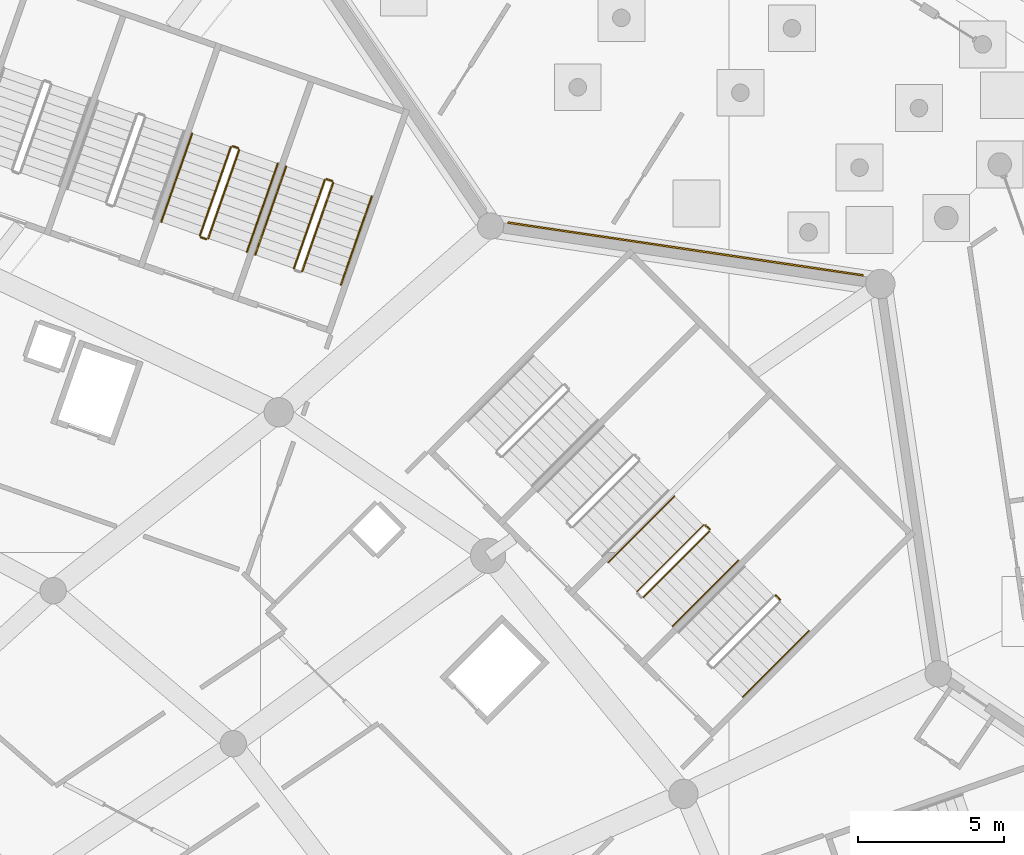
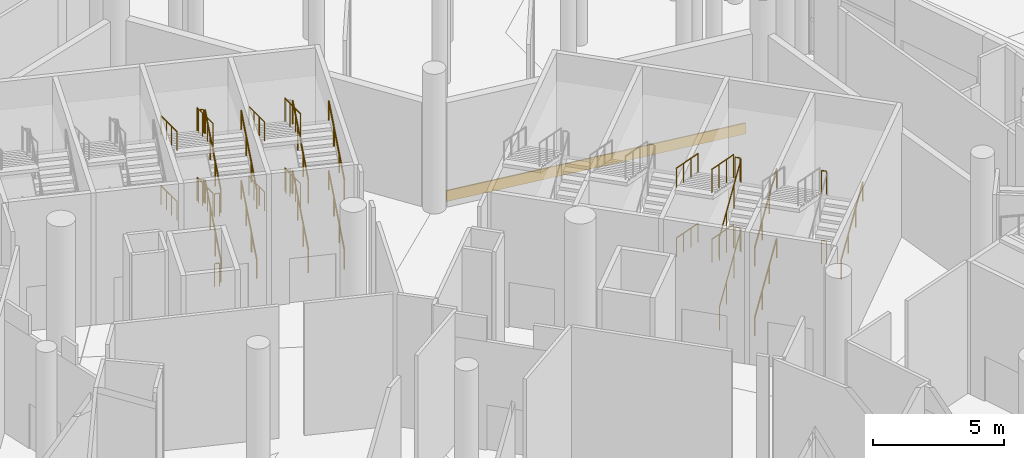
# One storey, part 253 of 255: 34 railings, 1 covering.
"""IFC4 building model written with IfcOpenShell, lengths in metres."""

from ifc_helpers import new_model, si_unit, direction, frame, origin, origin_2d, place, context, subcontext, project, spatial, rectangle, circle, extrude, material, layer, layer_set, type_object, element, save


model = new_model("IFC4")

# Units and contexts
model_context = context("Model", 3, precision=1e-05, world=origin(), true_north=direction((0.0, 1.0)))
body_context = subcontext(model_context, "Body", "Model", "MODEL_VIEW")
ifc_project = project(units=[si_unit("LENGTHUNIT", "METRE"), si_unit("AREAUNIT", "SQUARE_METRE"), si_unit("VOLUMEUNIT", "CUBIC_METRE"), si_unit("PLANEANGLEUNIT", "RADIAN"), si_unit("MASSUNIT", "GRAM", prefix="KILO")], contexts=[model_context])

# Site, building, storey
site_placement = place(None, origin())
site = spatial("IfcSite", under=ifc_project, at=site_placement, CompositionType="ELEMENT")
building_placement = place(site_placement, origin())
building = spatial("IfcBuilding", under=site, at=building_placement, Name="Meseta Stadium", CompositionType="ELEMENT")
storey_placement = place(building_placement, origin())
storey = spatial("IfcBuildingStorey", under=building, at=storey_placement, Name="L00", CompositionType="ELEMENT", Elevation=0.0)

# Covering
ifc_material_1 = material(Name="Guadarrama granite cladding", Category="masonry")
ifc_layer = layer(ifc_material_1, 0.06005859375)
ifc_layer_set = layer_set([ifc_layer], Name="Granite plinth cladding 60")
covering_type = type_object("IfcCoveringType", Name="Granite plinth cladding 60", PredefinedType="CLADDING", material=ifc_layer_set)
covering_placement = place(storey_placement, frame((78.5205078125, 90.36865234375, 0.0), z_axis=(0.0, 0.0, 1.0), x_axis=(0.989158319768, -0.146853050476, 0.0)))
element("IfcCovering", 1, at=covering_placement, inside=storey, type_object=covering_type, Name="Granite plinth L00 F12", PredefinedType="CLADDING", context=body_context, shape_type="SweptSolid", body=[
    extrude(rectangle(XDim=12.274169921875, YDim=0.06005859375, at=origin_2d()), origin(), (0.0, 0.0, 1.0), 0.5),
])

# Railings
ifc_material_2 = material(Name="Steel S355", Category="steel")
railing_type_1 = type_object("IfcRailingType", Name="Stair guard 1100", PredefinedType="GUARDRAIL", material=ifc_material_2)
for number, where, name in (
    (2, (81.744140625, 78.390380859375, 1.625), "ST25 L00 guard 2"),
    (3, (81.744140625, 78.390380859375, 4.875), "ST25 L00 guard 6"),
):
    element("IfcRailing", number, at=place(storey_placement, frame(where)), inside=storey, type_object=railing_type_1, Name=name, PredefinedType="GUARDRAIL", context=body_context, shape_type="SweptSolid", body=[
        extrude(circle(Radius=0.02392578125, at=origin_2d()), frame((0.0, 0.0, 1.076171875), z_axis=(-0.707106781187, 0.707106781187, 0.0), x_axis=(-0.707106781187, -0.707106781187, 0.0)), (0.0, 0.0, 1.0), 0.199951171875),
        extrude(circle(Radius=0.02099609375, at=origin_2d()), origin(), (0.0, 0.0, 1.0), 1.052001953125),
        extrude(circle(Radius=0.02099609375, at=origin_2d()), frame((-0.141357421875, 0.141357421875, 0.0)), (0.0, 0.0, 1.0), 1.052001953125),
    ])
railing_1_placement = place(storey_placement, frame((77.077392578125, 78.4609375, 0.147705078125)))
element("IfcRailing", 4, at=railing_1_placement, inside=storey, type_object=railing_type_1, Name="ST26 L00 guard 1", PredefinedType="GUARDRAIL", context=body_context, shape_type="SweptSolid", body=[
    extrude(circle(Radius=0.02392578125, at=origin_2d()), frame((0.0, 0.0, 1.076171875), z_axis=(0.641964988257, 0.642034255088, 0.419133593434), x_axis=(-0.707144925854, 0.707068634461, 0.0)), (0.0, 0.0, 1.0), 3.524658203125),
    extrude(circle(Radius=0.02099609375, at=origin_2d()), origin(), (0.0, 0.0, 1.0), 1.052001953125),
    extrude(circle(Radius=0.02099609375, at=origin_2d()), frame((0.754150390625, 0.75439453125, 0.492431640625)), (0.0, 0.0, 1.0), 1.052001953125),
    extrude(circle(Radius=0.02099609375, at=origin_2d()), frame((1.508544921875, 1.508544921875, 0.98486328125)), (0.0, 0.0, 1.0), 1.052001953125),
    extrude(circle(Radius=0.02099609375, at=origin_2d()), frame((2.2626953125, 2.262939453125, 1.477294921875)), (0.0, 0.0, 1.0), 1.052001953125),
])
railing_2_placement = place(storey_placement, frame((79.340087890625, 80.79443359375, 1.625)))
element("IfcRailing", 5, at=railing_2_placement, inside=storey, type_object=railing_type_1, Name="ST26 L00 guard 2", PredefinedType="GUARDRAIL", context=body_context, shape_type="SweptSolid", body=[
    extrude(circle(Radius=0.02392578125, at=origin_2d()), frame((0.0, 0.0, 1.076171875), z_axis=(-0.706496417452, 0.707716618519, 0.0), x_axis=(-0.707716618519, -0.706496417452, 0.0)), (0.0, 0.0, 1.0), 0.2001953125),
    extrude(circle(Radius=0.02099609375, at=origin_2d()), origin(), (0.0, 0.0, 1.0), 1.052001953125),
    extrude(circle(Radius=0.02099609375, at=origin_2d()), frame((-0.141357421875, 0.1416015625, 0.0)), (0.0, 0.0, 1.0), 1.052001953125),
])
railing_3_placement = place(storey_placement, frame((79.1279296875, 80.93603515625, 1.772705078125)))
element("IfcRailing", 6, at=railing_3_placement, inside=storey, type_object=railing_type_1, Name="ST26 L00 guard 3", PredefinedType="GUARDRAIL", context=body_context, shape_type="SweptSolid", body=[
    extrude(circle(Radius=0.02392578125, at=origin_2d()), frame((0.0, 0.0, 1.076171875), z_axis=(-0.641964988257, -0.642034255088, 0.419133593434), x_axis=(0.707144925854, -0.707068634461, 0.0)), (0.0, 0.0, 1.0), 3.524658203125),
    extrude(circle(Radius=0.02099609375, at=origin_2d()), origin(), (0.0, 0.0, 1.0), 1.052001953125),
    extrude(circle(Radius=0.02099609375, at=origin_2d()), frame((-0.754150390625, -0.75439453125, 0.492431640625)), (0.0, 0.0, 1.0), 1.052001953125),
    extrude(circle(Radius=0.02099609375, at=origin_2d()), frame((-1.508544921875, -1.508544921875, 0.98486328125)), (0.0, 0.0, 1.0), 1.052001953125),
    extrude(circle(Radius=0.02099609375, at=origin_2d()), frame((-2.2626953125, -2.262939453125, 1.477294921875)), (0.0, 0.0, 1.0), 1.052001953125),
])
railing_4_placement = place(storey_placement, frame((77.077392578125, 78.4609375, 3.397705078125)))
element("IfcRailing", 7, at=railing_4_placement, inside=storey, type_object=railing_type_1, Name="ST26 L00 guard 5", PredefinedType="GUARDRAIL", context=body_context, shape_type="SweptSolid", body=[
    extrude(circle(Radius=0.02392578125, at=origin_2d()), frame((0.0, 0.0, 1.076171875), z_axis=(0.641964988257, 0.642034255088, 0.419133593434), x_axis=(-0.707144925854, 0.707068634461, 0.0)), (0.0, 0.0, 1.0), 3.524658203125),
    extrude(circle(Radius=0.02099609375, at=origin_2d()), origin(), (0.0, 0.0, 1.0), 1.052001953125),
    extrude(circle(Radius=0.02099609375, at=origin_2d()), frame((0.754150390625, 0.75439453125, 0.492431640625)), (0.0, 0.0, 1.0), 1.052001953125),
    extrude(circle(Radius=0.02099609375, at=origin_2d()), frame((1.508544921875, 1.508544921875, 0.98486328125)), (0.0, 0.0, 1.0), 1.052001953125),
    extrude(circle(Radius=0.02099609375, at=origin_2d()), frame((2.2626953125, 2.262939453125, 1.477294921875)), (0.0, 0.0, 1.0), 1.052001953125),
])
railing_5_placement = place(storey_placement, frame((79.340087890625, 80.79443359375, 4.875)))
element("IfcRailing", 8, at=railing_5_placement, inside=storey, type_object=railing_type_1, Name="ST26 L00 guard 6", PredefinedType="GUARDRAIL", context=body_context, shape_type="SweptSolid", body=[
    extrude(circle(Radius=0.02392578125, at=origin_2d()), frame((0.0, 0.0, 1.076171875), z_axis=(-0.706496417452, 0.707716618519, 0.0), x_axis=(-0.707716618519, -0.706496417452, 0.0)), (0.0, 0.0, 1.0), 0.2001953125),
    extrude(circle(Radius=0.02099609375, at=origin_2d()), origin(), (0.0, 0.0, 1.0), 1.052001953125),
    extrude(circle(Radius=0.02099609375, at=origin_2d()), frame((-0.141357421875, 0.1416015625, 0.0)), (0.0, 0.0, 1.0), 1.052001953125),
])
railing_6_placement = place(storey_placement, frame((79.1279296875, 80.93603515625, 5.022705078125)))
element("IfcRailing", 9, at=railing_6_placement, inside=storey, type_object=railing_type_1, Name="ST26 L00 guard 7", PredefinedType="GUARDRAIL", context=body_context, shape_type="SweptSolid", body=[
    extrude(circle(Radius=0.02392578125, at=origin_2d()), frame((0.0, 0.0, 1.076171875), z_axis=(-0.641964988257, -0.642034255088, 0.419133593434), x_axis=(0.707144925854, -0.707068634461, 0.0)), (0.0, 0.0, 1.0), 3.524658203125),
    extrude(circle(Radius=0.02099609375, at=origin_2d()), origin(), (0.0, 0.0, 1.0), 1.052001953125),
    extrude(circle(Radius=0.02099609375, at=origin_2d()), frame((-0.754150390625, -0.75439453125, 0.492431640625)), (0.0, 0.0, 1.0), 1.052001953125),
    extrude(circle(Radius=0.02099609375, at=origin_2d()), frame((-1.508544921875, -1.508544921875, 0.98486328125)), (0.0, 0.0, 1.0), 1.052001953125),
    extrude(circle(Radius=0.02099609375, at=origin_2d()), frame((-2.2626953125, -2.262939453125, 1.477294921875)), (0.0, 0.0, 1.0), 1.052001953125),
])
railing_7_placement = place(storey_placement, frame((65.421630859375, 89.608154296875, 0.147705078125)))
element("IfcRailing", 10, at=railing_7_placement, inside=storey, type_object=railing_type_1, Name="ST29 L00 guard 1", PredefinedType="GUARDRAIL", context=body_context, shape_type="SweptSolid", body=[
    extrude(circle(Radius=0.02392578125, at=origin_2d()), frame((0.0, 0.0, 1.076171875), z_axis=(0.299858671601, 0.856976550022, 0.419137172986), x_axis=(-0.943886898693, 0.330268863922, 0.0)), (0.0, 0.0, 1.0), 3.524658203125),
    extrude(circle(Radius=0.02099609375, at=origin_2d()), origin(), (0.0, 0.0, 1.0), 1.052001953125),
    extrude(circle(Radius=0.02099609375, at=origin_2d()), frame((0.352294921875, 1.0068359375, 0.492431640625)), (0.0, 0.0, 1.0), 1.052001953125),
    extrude(circle(Radius=0.02099609375, at=origin_2d()), frame((0.70458984375, 2.013671875, 0.98486328125)), (0.0, 0.0, 1.0), 1.052001953125),
    extrude(circle(Radius=0.02099609375, at=origin_2d()), frame((1.056884765625, 3.0205078125, 1.477294921875)), (0.0, 0.0, 1.0), 1.052001953125),
])
railing_8_placement = place(storey_placement, frame((66.44775390625, 92.692138671875, 1.625)))
element("IfcRailing", 11, at=railing_8_placement, inside=storey, type_object=railing_type_1, Name="ST29 L00 guard 2", PredefinedType="GUARDRAIL", context=body_context, shape_type="SweptSolid", body=[
    extrude(circle(Radius=0.02392578125, at=origin_2d()), frame((0.0, 0.0, 1.076171875), z_axis=(-0.943686935281, 0.330839792317, 0.0), x_axis=(-0.330839792317, -0.943686935281, 0.0)), (0.0, 0.0, 1.0), 0.199951171875),
    extrude(circle(Radius=0.02099609375, at=origin_2d()), origin(), (0.0, 0.0, 1.0), 1.052001953125),
    extrude(circle(Radius=0.02099609375, at=origin_2d()), frame((-0.188720703125, 0.066162109375, 0.0)), (0.0, 0.0, 1.0), 1.052001953125),
])
railing_9_placement = place(storey_placement, frame((66.1953125, 92.7275390625, 1.772705078125)))
element("IfcRailing", 12, at=railing_9_placement, inside=storey, type_object=railing_type_1, Name="ST29 L00 guard 3", PredefinedType="GUARDRAIL", context=body_context, shape_type="SweptSolid", body=[
    extrude(circle(Radius=0.02392578125, at=origin_2d()), frame((0.0, 0.0, 1.076171875), z_axis=(-0.299876472244, -0.856958151566, 0.419162054412), x_axis=(0.943878576031, -0.330292648585, 0.0)), (0.0, 0.0, 1.0), 3.5244140625),
    extrude(circle(Radius=0.02099609375, at=origin_2d()), origin(), (0.0, 0.0, 1.0), 1.052001953125),
    extrude(circle(Radius=0.02099609375, at=origin_2d()), frame((-0.352294921875, -1.0068359375, 0.492431640625)), (0.0, 0.0, 1.0), 1.052001953125),
    extrude(circle(Radius=0.02099609375, at=origin_2d()), frame((-0.70458984375, -2.013427734375, 0.98486328125)), (0.0, 0.0, 1.0), 1.052001953125),
    extrude(circle(Radius=0.02099609375, at=origin_2d()), frame((-1.056884765625, -3.020263671875, 1.477294921875)), (0.0, 0.0, 1.0), 1.052001953125),
])
railing_10_placement = place(storey_placement, frame((65.421630859375, 89.608154296875, 3.397705078125)))
element("IfcRailing", 13, at=railing_10_placement, inside=storey, type_object=railing_type_1, Name="ST29 L00 guard 5", PredefinedType="GUARDRAIL", context=body_context, shape_type="SweptSolid", body=[
    extrude(circle(Radius=0.02392578125, at=origin_2d()), frame((0.0, 0.0, 1.076171875), z_axis=(0.299858671601, 0.856976550022, 0.419137172986), x_axis=(-0.943886898693, 0.330268863922, 0.0)), (0.0, 0.0, 1.0), 3.524658203125),
    extrude(circle(Radius=0.02099609375, at=origin_2d()), origin(), (0.0, 0.0, 1.0), 1.052001953125),
    extrude(circle(Radius=0.02099609375, at=origin_2d()), frame((0.352294921875, 1.0068359375, 0.492431640625)), (0.0, 0.0, 1.0), 1.052001953125),
    extrude(circle(Radius=0.02099609375, at=origin_2d()), frame((0.70458984375, 2.013671875, 0.98486328125)), (0.0, 0.0, 1.0), 1.052001953125),
    extrude(circle(Radius=0.02099609375, at=origin_2d()), frame((1.056884765625, 3.0205078125, 1.477294921875)), (0.0, 0.0, 1.0), 1.052001953125),
])
railing_11_placement = place(storey_placement, frame((66.1953125, 92.7275390625, 5.022705078125)))
element("IfcRailing", 14, at=railing_11_placement, inside=storey, type_object=railing_type_1, Name="ST29 L00 guard 7", PredefinedType="GUARDRAIL", context=body_context, shape_type="SweptSolid", body=[
    extrude(circle(Radius=0.02392578125, at=origin_2d()), frame((0.0, 0.0, 1.076171875), z_axis=(-0.299876472244, -0.856958151566, 0.419162054412), x_axis=(0.943878576031, -0.330292648585, 0.0)), (0.0, 0.0, 1.0), 3.5244140625),
    extrude(circle(Radius=0.02099609375, at=origin_2d()), origin(), (0.0, 0.0, 1.0), 1.052001953125),
    extrude(circle(Radius=0.02099609375, at=origin_2d()), frame((-0.352294921875, -1.0068359375, 0.492431640625)), (0.0, 0.0, 1.0), 1.052001953125),
    extrude(circle(Radius=0.02099609375, at=origin_2d()), frame((-0.70458984375, -2.013427734375, 0.98486328125)), (0.0, 0.0, 1.0), 1.052001953125),
    extrude(circle(Radius=0.02099609375, at=origin_2d()), frame((-1.056884765625, -3.020263671875, 1.477294921875)), (0.0, 0.0, 1.0), 1.052001953125),
])
railing_12_placement = place(storey_placement, frame((62.21240234375, 90.73095703125, 0.147705078125)))
element("IfcRailing", 15, at=railing_12_placement, inside=storey, type_object=railing_type_1, Name="ST30 L00 guard 1", PredefinedType="GUARDRAIL", context=body_context, shape_type="SweptSolid", body=[
    extrude(circle(Radius=0.02392578125, at=origin_2d()), frame((0.0, 0.0, 1.076171875), z_axis=(0.299858671601, 0.856976550022, 0.419137172986), x_axis=(-0.943886898693, 0.330268863922, 0.0)), (0.0, 0.0, 1.0), 3.524658203125),
    extrude(circle(Radius=0.02099609375, at=origin_2d()), origin(), (0.0, 0.0, 1.0), 1.052001953125),
    extrude(circle(Radius=0.02099609375, at=origin_2d()), frame((0.352294921875, 1.0068359375, 0.492431640625)), (0.0, 0.0, 1.0), 1.052001953125),
    extrude(circle(Radius=0.02099609375, at=origin_2d()), frame((0.70458984375, 2.013671875, 0.98486328125)), (0.0, 0.0, 1.0), 1.052001953125),
    extrude(circle(Radius=0.02099609375, at=origin_2d()), frame((1.056884765625, 3.0205078125, 1.477294921875)), (0.0, 0.0, 1.0), 1.052001953125),
])
railing_13_placement = place(storey_placement, frame((63.238525390625, 93.815185546875, 1.625)))
element("IfcRailing", 16, at=railing_13_placement, inside=storey, type_object=railing_type_1, Name="ST30 L00 guard 2", PredefinedType="GUARDRAIL", context=body_context, shape_type="SweptSolid", body=[
    extrude(circle(Radius=0.02392578125, at=origin_2d()), frame((0.0, 0.0, 1.076171875), z_axis=(-0.943686935281, 0.330839792317, 0.0), x_axis=(-0.330839792317, -0.943686935281, 0.0)), (0.0, 0.0, 1.0), 0.199951171875),
    extrude(circle(Radius=0.02099609375, at=origin_2d()), origin(), (0.0, 0.0, 1.0), 1.052001953125),
    extrude(circle(Radius=0.02099609375, at=origin_2d()), frame((-0.188720703125, 0.066162109375, 0.0)), (0.0, 0.0, 1.0), 1.052001953125),
])
railing_14_placement = place(storey_placement, frame((62.986083984375, 93.8505859375, 1.772705078125)))
element("IfcRailing", 17, at=railing_14_placement, inside=storey, type_object=railing_type_1, Name="ST30 L00 guard 3", PredefinedType="GUARDRAIL", context=body_context, shape_type="SweptSolid", body=[
    extrude(circle(Radius=0.02392578125, at=origin_2d()), frame((0.0, 0.0, 1.076171875), z_axis=(-0.299858671601, -0.856976550022, 0.419137172986), x_axis=(0.943886898693, -0.330268863922, 0.0)), (0.0, 0.0, 1.0), 3.524658203125),
    extrude(circle(Radius=0.02099609375, at=origin_2d()), origin(), (0.0, 0.0, 1.0), 1.052001953125),
    extrude(circle(Radius=0.02099609375, at=origin_2d()), frame((-0.352294921875, -1.0068359375, 0.492431640625)), (0.0, 0.0, 1.0), 1.052001953125),
    extrude(circle(Radius=0.02099609375, at=origin_2d()), frame((-0.70458984375, -2.013671875, 0.98486328125)), (0.0, 0.0, 1.0), 1.052001953125),
    extrude(circle(Radius=0.02099609375, at=origin_2d()), frame((-1.056884765625, -3.0205078125, 1.477294921875)), (0.0, 0.0, 1.0), 1.052001953125),
])
railing_15_placement = place(storey_placement, frame((62.148681640625, 90.700439453125, 3.25)))
element("IfcRailing", 18, at=railing_15_placement, inside=storey, type_object=railing_type_1, Name="ST30 L00 guard 4", PredefinedType="GUARDRAIL", context=body_context, shape_type="SweptSolid", body=[
    extrude(circle(Radius=0.02392578125, at=origin_2d()), frame((0.0, 0.0, 1.076171875), z_axis=(-0.944067610699, 0.329751946816, 0.0), x_axis=(-0.329751946816, -0.944067610699, 0.0)), (0.0, 0.0, 1.0), 0.199951171875),
    extrude(circle(Radius=0.02099609375, at=origin_2d()), origin(), (0.0, 0.0, 1.0), 1.052001953125),
    extrude(circle(Radius=0.02099609375, at=origin_2d()), frame((-0.188720703125, 0.06591796875, 0.0)), (0.0, 0.0, 1.0), 1.052001953125),
])
railing_16_placement = place(storey_placement, frame((62.21240234375, 90.73095703125, 3.397705078125)))
element("IfcRailing", 19, at=railing_16_placement, inside=storey, type_object=railing_type_1, Name="ST30 L00 guard 5", PredefinedType="GUARDRAIL", context=body_context, shape_type="SweptSolid", body=[
    extrude(circle(Radius=0.02392578125, at=origin_2d()), frame((0.0, 0.0, 1.076171875), z_axis=(0.299858671601, 0.856976550022, 0.419137172986), x_axis=(-0.943886898693, 0.330268863922, 0.0)), (0.0, 0.0, 1.0), 3.524658203125),
    extrude(circle(Radius=0.02099609375, at=origin_2d()), origin(), (0.0, 0.0, 1.0), 1.052001953125),
    extrude(circle(Radius=0.02099609375, at=origin_2d()), frame((0.352294921875, 1.0068359375, 0.492431640625)), (0.0, 0.0, 1.0), 1.052001953125),
    extrude(circle(Radius=0.02099609375, at=origin_2d()), frame((0.70458984375, 2.013671875, 0.98486328125)), (0.0, 0.0, 1.0), 1.052001953125),
    extrude(circle(Radius=0.02099609375, at=origin_2d()), frame((1.056884765625, 3.0205078125, 1.477294921875)), (0.0, 0.0, 1.0), 1.052001953125),
])
railing_17_placement = place(storey_placement, frame((63.238525390625, 93.815185546875, 4.875)))
element("IfcRailing", 20, at=railing_17_placement, inside=storey, type_object=railing_type_1, Name="ST30 L00 guard 6", PredefinedType="GUARDRAIL", context=body_context, shape_type="SweptSolid", body=[
    extrude(circle(Radius=0.02392578125, at=origin_2d()), frame((0.0, 0.0, 1.076171875), z_axis=(-0.943686935281, 0.330839792317, 0.0), x_axis=(-0.330839792317, -0.943686935281, 0.0)), (0.0, 0.0, 1.0), 0.199951171875),
    extrude(circle(Radius=0.02099609375, at=origin_2d()), origin(), (0.0, 0.0, 1.0), 1.052001953125),
    extrude(circle(Radius=0.02099609375, at=origin_2d()), frame((-0.188720703125, 0.066162109375, 0.0)), (0.0, 0.0, 1.0), 1.052001953125),
])
railing_18_placement = place(storey_placement, frame((62.986083984375, 93.8505859375, 5.022705078125)))
element("IfcRailing", 21, at=railing_18_placement, inside=storey, type_object=railing_type_1, Name="ST30 L00 guard 7", PredefinedType="GUARDRAIL", context=body_context, shape_type="SweptSolid", body=[
    extrude(circle(Radius=0.02392578125, at=origin_2d()), frame((0.0, 0.0, 1.076171875), z_axis=(-0.299858671601, -0.856976550022, 0.419137172986), x_axis=(0.943886898693, -0.330268863922, 0.0)), (0.0, 0.0, 1.0), 3.524658203125),
    extrude(circle(Radius=0.02099609375, at=origin_2d()), origin(), (0.0, 0.0, 1.0), 1.052001953125),
    extrude(circle(Radius=0.02099609375, at=origin_2d()), frame((-0.352294921875, -1.0068359375, 0.492431640625)), (0.0, 0.0, 1.0), 1.052001953125),
    extrude(circle(Radius=0.02099609375, at=origin_2d()), frame((-0.70458984375, -2.013671875, 0.98486328125)), (0.0, 0.0, 1.0), 1.052001953125),
    extrude(circle(Radius=0.02099609375, at=origin_2d()), frame((-1.056884765625, -3.0205078125, 1.477294921875)), (0.0, 0.0, 1.0), 1.052001953125),
])
railing_19_placement = place(storey_placement, frame((62.148681640625, 90.700439453125, 0.0)))
element("IfcRailing", 22, at=railing_19_placement, inside=storey, type_object=railing_type_1, Name="ST30 L00 guard 8", PredefinedType="GUARDRAIL", context=body_context, shape_type="SweptSolid", body=[
    extrude(circle(Radius=0.02392578125, at=origin_2d()), frame((0.0, 0.0, 1.076171875), z_axis=(-0.944067610699, 0.329751946816, 0.0), x_axis=(-0.329751946816, -0.944067610699, 0.0)), (0.0, 0.0, 1.0), 0.199951171875),
    extrude(circle(Radius=0.02099609375, at=origin_2d()), origin(), (0.0, 0.0, 1.0), 1.052001953125),
    extrude(circle(Radius=0.02099609375, at=origin_2d()), frame((-0.188720703125, 0.06591796875, 0.0)), (0.0, 0.0, 1.0), 1.052001953125),
])
ifc_material_3 = material(Name="Steel S355", Category="steel")
railing_type_2 = type_object("IfcRailingType", Name="Stair handrail 900", PredefinedType="HANDRAIL", material=ifc_material_3)
for number, where, name in (
    (23, (80.471435546875, 75.06689453125, 3.397705078125), "ST25 L00 handrail 3"),
    (24, (78.0673828125, 77.47119140625, 0.147705078125), "ST26 L00 handrail 1"),
):
    element("IfcRailing", number, at=place(storey_placement, frame(where)), inside=storey, type_object=railing_type_2, Name=name, PredefinedType="HANDRAIL", context=body_context, shape_type="SweptSolid", body=[
        extrude(circle(Radius=0.02392578125, at=origin_2d()), frame((0.0, 0.0, 0.8759765625), z_axis=(0.641993537882, 0.641993537882, 0.419152233246), x_axis=(-0.707106781187, 0.707106781187, 0.0)), (0.0, 0.0, 1.0), 3.5244140625),
        extrude(circle(Radius=0.02099609375, at=origin_2d()), origin(), (0.0, 0.0, 1.0), 0.851806640625),
        extrude(circle(Radius=0.02099609375, at=origin_2d()), frame((0.754150390625, 0.754150390625, 0.492431640625)), (0.0, 0.0, 1.0), 0.851806640625),
        extrude(circle(Radius=0.02099609375, at=origin_2d()), frame((1.508544921875, 1.508544921875, 0.98486328125)), (0.0, 0.0, 1.0), 0.851806640625),
        extrude(circle(Radius=0.02099609375, at=origin_2d()), frame((2.2626953125, 2.2626953125, 1.477294921875)), (0.0, 0.0, 1.0), 0.851806640625),
    ])
railing_20_placement = place(storey_placement, frame((78.137939453125, 81.92578125, 1.772705078125)))
element("IfcRailing", 25, at=railing_20_placement, inside=storey, type_object=railing_type_2, Name="ST26 L00 handrail 2", PredefinedType="HANDRAIL", context=body_context, shape_type="SweptSolid", body=[
    extrude(circle(Radius=0.02392578125, at=origin_2d()), frame((0.0, 0.0, 0.8759765625), z_axis=(-0.641993537882, -0.641993537882, 0.419152233246), x_axis=(0.707106781187, -0.707106781187, 0.0)), (0.0, 0.0, 1.0), 3.5244140625),
    extrude(circle(Radius=0.02099609375, at=origin_2d()), origin(), (0.0, 0.0, 1.0), 0.851806640625),
    extrude(circle(Radius=0.02099609375, at=origin_2d()), frame((-0.754150390625, -0.754150390625, 0.492431640625)), (0.0, 0.0, 1.0), 0.851806640625),
    extrude(circle(Radius=0.02099609375, at=origin_2d()), frame((-1.508544921875, -1.508544921875, 0.98486328125)), (0.0, 0.0, 1.0), 0.851806640625),
    extrude(circle(Radius=0.02099609375, at=origin_2d()), frame((-2.2626953125, -2.2626953125, 1.477294921875)), (0.0, 0.0, 1.0), 0.851806640625),
])
railing_21_placement = place(storey_placement, frame((78.0673828125, 77.47119140625, 3.397705078125)))
element("IfcRailing", 26, at=railing_21_placement, inside=storey, type_object=railing_type_2, Name="ST26 L00 handrail 3", PredefinedType="HANDRAIL", context=body_context, shape_type="SweptSolid", body=[
    extrude(circle(Radius=0.02392578125, at=origin_2d()), frame((0.0, 0.0, 0.8759765625), z_axis=(0.641993537882, 0.641993537882, 0.419152233246), x_axis=(-0.707106781187, 0.707106781187, 0.0)), (0.0, 0.0, 1.0), 3.5244140625),
    extrude(circle(Radius=0.02099609375, at=origin_2d()), origin(), (0.0, 0.0, 1.0), 0.851806640625),
    extrude(circle(Radius=0.02099609375, at=origin_2d()), frame((0.754150390625, 0.754150390625, 0.492431640625)), (0.0, 0.0, 1.0), 0.851806640625),
    extrude(circle(Radius=0.02099609375, at=origin_2d()), frame((1.508544921875, 1.508544921875, 0.98486328125)), (0.0, 0.0, 1.0), 0.851806640625),
    extrude(circle(Radius=0.02099609375, at=origin_2d()), frame((2.2626953125, 2.2626953125, 1.477294921875)), (0.0, 0.0, 1.0), 0.851806640625),
])
railing_22_placement = place(storey_placement, frame((78.137939453125, 81.92578125, 5.022705078125)))
element("IfcRailing", 27, at=railing_22_placement, inside=storey, type_object=railing_type_2, Name="ST26 L00 handrail 4", PredefinedType="HANDRAIL", context=body_context, shape_type="SweptSolid", body=[
    extrude(circle(Radius=0.02392578125, at=origin_2d()), frame((0.0, 0.0, 0.8759765625), z_axis=(-0.641993537882, -0.641993537882, 0.419152233246), x_axis=(0.707106781187, -0.707106781187, 0.0)), (0.0, 0.0, 1.0), 3.5244140625),
    extrude(circle(Radius=0.02099609375, at=origin_2d()), origin(), (0.0, 0.0, 1.0), 0.851806640625),
    extrude(circle(Radius=0.02099609375, at=origin_2d()), frame((-0.754150390625, -0.754150390625, 0.492431640625)), (0.0, 0.0, 1.0), 0.851806640625),
    extrude(circle(Radius=0.02099609375, at=origin_2d()), frame((-1.508544921875, -1.508544921875, 0.98486328125)), (0.0, 0.0, 1.0), 0.851806640625),
    extrude(circle(Radius=0.02099609375, at=origin_2d()), frame((-2.2626953125, -2.2626953125, 1.477294921875)), (0.0, 0.0, 1.0), 0.851806640625),
])
railing_23_placement = place(storey_placement, frame((66.7431640625, 89.145751953125, 0.147705078125)))
element("IfcRailing", 28, at=railing_23_placement, inside=storey, type_object=railing_type_2, Name="ST29 L00 handrail 1", PredefinedType="HANDRAIL", context=body_context, shape_type="SweptSolid", body=[
    extrude(circle(Radius=0.02392578125, at=origin_2d()), frame((0.0, 0.0, 0.8759765625), z_axis=(0.299858671601, 0.856976550022, 0.419137172986), x_axis=(-0.943886898693, 0.330268863922, 0.0)), (0.0, 0.0, 1.0), 3.524658203125),
    extrude(circle(Radius=0.02099609375, at=origin_2d()), origin(), (0.0, 0.0, 1.0), 0.851806640625),
    extrude(circle(Radius=0.02099609375, at=origin_2d()), frame((0.352294921875, 1.0068359375, 0.492431640625)), (0.0, 0.0, 1.0), 0.851806640625),
    extrude(circle(Radius=0.02099609375, at=origin_2d()), frame((0.70458984375, 2.013671875, 0.98486328125)), (0.0, 0.0, 1.0), 0.851806640625),
    extrude(circle(Radius=0.02099609375, at=origin_2d()), frame((1.056884765625, 3.0205078125, 1.477294921875)), (0.0, 0.0, 1.0), 0.851806640625),
])
railing_24_placement = place(storey_placement, frame((64.8740234375, 93.18994140625, 1.772705078125)))
element("IfcRailing", 29, at=railing_24_placement, inside=storey, type_object=railing_type_2, Name="ST29 L00 handrail 2", PredefinedType="HANDRAIL", context=body_context, shape_type="SweptSolid", body=[
    extrude(circle(Radius=0.02392578125, at=origin_2d()), frame((0.0, 0.0, 0.8759765625), z_axis=(-0.299939512509, -0.856940348556, 0.419153346465), x_axis=(0.943854787913, -0.330360620133, 0.0)), (0.0, 0.0, 1.0), 3.5244140625),
    extrude(circle(Radius=0.02099609375, at=origin_2d()), origin(), (0.0, 0.0, 1.0), 0.851806640625),
    extrude(circle(Radius=0.02099609375, at=origin_2d()), frame((-0.352294921875, -1.0068359375, 0.492431640625)), (0.0, 0.0, 1.0), 0.851806640625),
    extrude(circle(Radius=0.02099609375, at=origin_2d()), frame((-0.704833984375, -2.013427734375, 0.98486328125)), (0.0, 0.0, 1.0), 0.851806640625),
    extrude(circle(Radius=0.02099609375, at=origin_2d()), frame((-1.05712890625, -3.020263671875, 1.477294921875)), (0.0, 0.0, 1.0), 0.851806640625),
])
railing_25_placement = place(storey_placement, frame((66.7431640625, 89.145751953125, 3.397705078125)))
element("IfcRailing", 30, at=railing_25_placement, inside=storey, type_object=railing_type_2, Name="ST29 L00 handrail 3", PredefinedType="HANDRAIL", context=body_context, shape_type="SweptSolid", body=[
    extrude(circle(Radius=0.02392578125, at=origin_2d()), frame((0.0, 0.0, 0.8759765625), z_axis=(0.299858671601, 0.856976550022, 0.419137172986), x_axis=(-0.943886898693, 0.330268863922, 0.0)), (0.0, 0.0, 1.0), 3.524658203125),
    extrude(circle(Radius=0.02099609375, at=origin_2d()), origin(), (0.0, 0.0, 1.0), 0.851806640625),
    extrude(circle(Radius=0.02099609375, at=origin_2d()), frame((0.352294921875, 1.0068359375, 0.492431640625)), (0.0, 0.0, 1.0), 0.851806640625),
    extrude(circle(Radius=0.02099609375, at=origin_2d()), frame((0.70458984375, 2.013671875, 0.98486328125)), (0.0, 0.0, 1.0), 0.851806640625),
    extrude(circle(Radius=0.02099609375, at=origin_2d()), frame((1.056884765625, 3.0205078125, 1.477294921875)), (0.0, 0.0, 1.0), 0.851806640625),
])
railing_26_placement = place(storey_placement, frame((64.8740234375, 93.18994140625, 5.022705078125)))
element("IfcRailing", 31, at=railing_26_placement, inside=storey, type_object=railing_type_2, Name="ST29 L00 handrail 4", PredefinedType="HANDRAIL", context=body_context, shape_type="SweptSolid", body=[
    extrude(circle(Radius=0.02392578125, at=origin_2d()), frame((0.0, 0.0, 0.8759765625), z_axis=(-0.299939512509, -0.856940348556, 0.419153346465), x_axis=(0.943854787913, -0.330360620133, 0.0)), (0.0, 0.0, 1.0), 3.5244140625),
    extrude(circle(Radius=0.02099609375, at=origin_2d()), origin(), (0.0, 0.0, 1.0), 0.851806640625),
    extrude(circle(Radius=0.02099609375, at=origin_2d()), frame((-0.352294921875, -1.0068359375, 0.492431640625)), (0.0, 0.0, 1.0), 0.851806640625),
    extrude(circle(Radius=0.02099609375, at=origin_2d()), frame((-0.704833984375, -2.013427734375, 0.98486328125)), (0.0, 0.0, 1.0), 0.851806640625),
    extrude(circle(Radius=0.02099609375, at=origin_2d()), frame((-1.05712890625, -3.020263671875, 1.477294921875)), (0.0, 0.0, 1.0), 0.851806640625),
])
railing_27_placement = place(storey_placement, frame((63.533935546875, 90.268798828125, 0.147705078125)))
element("IfcRailing", 32, at=railing_27_placement, inside=storey, type_object=railing_type_2, Name="ST30 L00 handrail 1", PredefinedType="HANDRAIL", context=body_context, shape_type="SweptSolid", body=[
    extrude(circle(Radius=0.02392578125, at=origin_2d()), frame((0.0, 0.0, 0.8759765625), z_axis=(0.299876472244, 0.856958151566, 0.419162054412), x_axis=(-0.943878576031, 0.330292648585, 0.0)), (0.0, 0.0, 1.0), 3.5244140625),
    extrude(circle(Radius=0.02099609375, at=origin_2d()), origin(), (0.0, 0.0, 1.0), 0.851806640625),
    extrude(circle(Radius=0.02099609375, at=origin_2d()), frame((0.352294921875, 1.0068359375, 0.492431640625)), (0.0, 0.0, 1.0), 0.851806640625),
    extrude(circle(Radius=0.02099609375, at=origin_2d()), frame((0.70458984375, 2.013427734375, 0.98486328125)), (0.0, 0.0, 1.0), 0.851806640625),
    extrude(circle(Radius=0.02099609375, at=origin_2d()), frame((1.056884765625, 3.020263671875, 1.477294921875)), (0.0, 0.0, 1.0), 0.851806640625),
])
railing_28_placement = place(storey_placement, frame((61.664794921875, 94.31298828125, 1.772705078125)))
element("IfcRailing", 33, at=railing_28_placement, inside=storey, type_object=railing_type_2, Name="ST30 L00 handrail 2", PredefinedType="HANDRAIL", context=body_context, shape_type="SweptSolid", body=[
    extrude(circle(Radius=0.02392578125, at=origin_2d()), frame((0.0, 0.0, 0.8759765625), z_axis=(-0.299858671601, -0.856976550022, 0.419137172986), x_axis=(0.943886898693, -0.330268863922, 0.0)), (0.0, 0.0, 1.0), 3.524658203125),
    extrude(circle(Radius=0.02099609375, at=origin_2d()), origin(), (0.0, 0.0, 1.0), 0.851806640625),
    extrude(circle(Radius=0.02099609375, at=origin_2d()), frame((-0.352294921875, -1.0068359375, 0.492431640625)), (0.0, 0.0, 1.0), 0.851806640625),
    extrude(circle(Radius=0.02099609375, at=origin_2d()), frame((-0.70458984375, -2.013671875, 0.98486328125)), (0.0, 0.0, 1.0), 0.851806640625),
    extrude(circle(Radius=0.02099609375, at=origin_2d()), frame((-1.056884765625, -3.0205078125, 1.477294921875)), (0.0, 0.0, 1.0), 0.851806640625),
])
railing_29_placement = place(storey_placement, frame((63.533935546875, 90.268798828125, 3.397705078125)))
element("IfcRailing", 34, at=railing_29_placement, inside=storey, type_object=railing_type_2, Name="ST30 L00 handrail 3", PredefinedType="HANDRAIL", context=body_context, shape_type="SweptSolid", body=[
    extrude(circle(Radius=0.02392578125, at=origin_2d()), frame((0.0, 0.0, 0.8759765625), z_axis=(0.299876472244, 0.856958151566, 0.419162054412), x_axis=(-0.943878576031, 0.330292648585, 0.0)), (0.0, 0.0, 1.0), 3.5244140625),
    extrude(circle(Radius=0.02099609375, at=origin_2d()), origin(), (0.0, 0.0, 1.0), 0.851806640625),
    extrude(circle(Radius=0.02099609375, at=origin_2d()), frame((0.352294921875, 1.0068359375, 0.492431640625)), (0.0, 0.0, 1.0), 0.851806640625),
    extrude(circle(Radius=0.02099609375, at=origin_2d()), frame((0.70458984375, 2.013427734375, 0.98486328125)), (0.0, 0.0, 1.0), 0.851806640625),
    extrude(circle(Radius=0.02099609375, at=origin_2d()), frame((1.056884765625, 3.020263671875, 1.477294921875)), (0.0, 0.0, 1.0), 0.851806640625),
])
railing_30_placement = place(storey_placement, frame((61.664794921875, 94.31298828125, 5.022705078125)))
element("IfcRailing", 35, at=railing_30_placement, inside=storey, type_object=railing_type_2, Name="ST30 L00 handrail 4", PredefinedType="HANDRAIL", context=body_context, shape_type="SweptSolid", body=[
    extrude(circle(Radius=0.02392578125, at=origin_2d()), frame((0.0, 0.0, 0.8759765625), z_axis=(-0.299858671601, -0.856976550022, 0.419137172986), x_axis=(0.943886898693, -0.330268863922, 0.0)), (0.0, 0.0, 1.0), 3.524658203125),
    extrude(circle(Radius=0.02099609375, at=origin_2d()), origin(), (0.0, 0.0, 1.0), 0.851806640625),
    extrude(circle(Radius=0.02099609375, at=origin_2d()), frame((-0.352294921875, -1.0068359375, 0.492431640625)), (0.0, 0.0, 1.0), 0.851806640625),
    extrude(circle(Radius=0.02099609375, at=origin_2d()), frame((-0.70458984375, -2.013671875, 0.98486328125)), (0.0, 0.0, 1.0), 0.851806640625),
    extrude(circle(Radius=0.02099609375, at=origin_2d()), frame((-1.056884765625, -3.0205078125, 1.477294921875)), (0.0, 0.0, 1.0), 0.851806640625),
])

save(model, "model.ifc")
